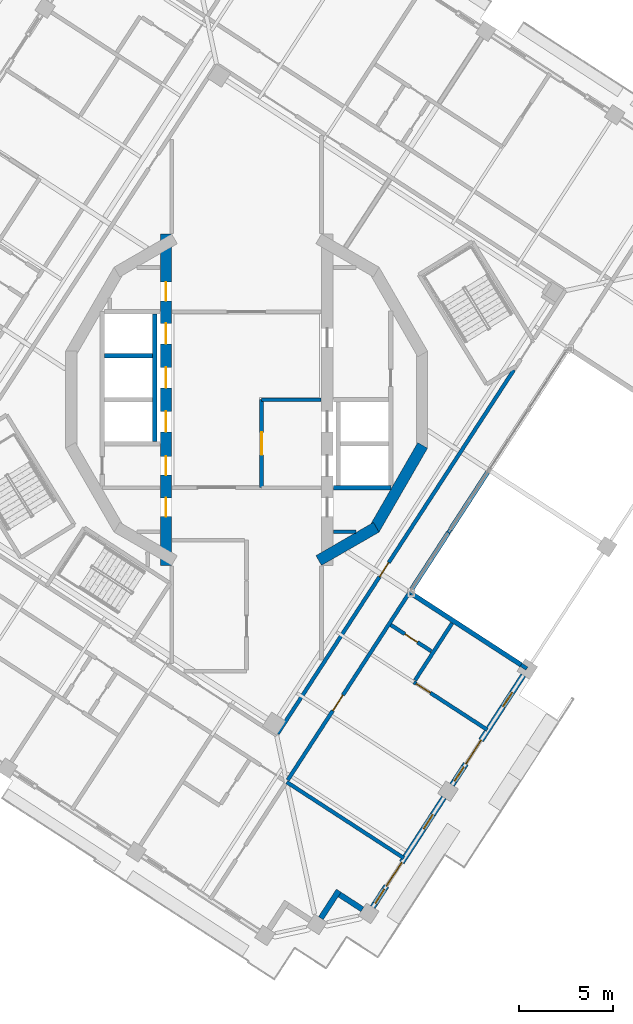
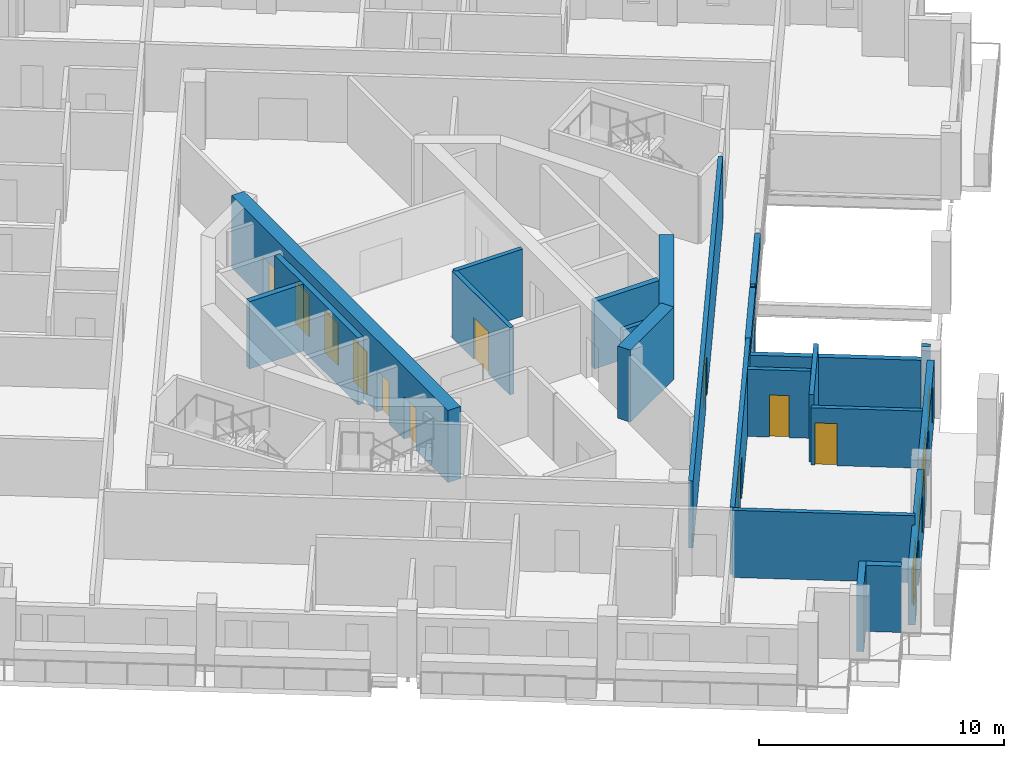
# One storey, part 7 of 17: 24 walls, 13 doors, 4 windows, 17 openings.
"""IFC4 building model written with IfcOpenShell, lengths in metres."""

from ifc_helpers import new_model, si_unit, direction, frame, frame_2d, origin, place, context, subcontext, project, spatial, rectangle, extrude, material, layer, layer_set, type_object, element, fill, save


model = new_model("IFC4")

# Units and contexts
model_context = context("Model", 3, precision=1e-05, world=origin(), true_north=direction((0.0, 1.0)))
body_context = subcontext(model_context, "Body", "Model", "MODEL_VIEW")
ifc_project = project(units=[si_unit("LENGTHUNIT", "METRE"), si_unit("AREAUNIT", "SQUARE_METRE"), si_unit("VOLUMEUNIT", "CUBIC_METRE"), si_unit("PLANEANGLEUNIT", "RADIAN"), si_unit("MASSUNIT", "GRAM", prefix="KILO")], contexts=[model_context])

# Site, building, storey
site_placement = place(None, origin())
site = spatial("IfcSite", under=ifc_project, at=site_placement, CompositionType="ELEMENT")
building_placement = place(site_placement, origin())
building = spatial("IfcBuilding", under=site, at=building_placement, Name="Cantera Rosa Tower", CompositionType="ELEMENT")
storey_placement = place(building_placement, frame((0.0, 0.0, 268.5)))
storey = spatial("IfcBuildingStorey", under=building, at=storey_placement, Name="L60", CompositionType="ELEMENT", Elevation=268.5)

# Wall, opening, door
ifc_material_1 = material(Name="Gypsum board partition")
ifc_layer_1 = layer(ifc_material_1, 0.199951171875)
ifc_layer_set_1 = layer_set([ifc_layer_1], Name="CORRIDOR WALL 200 H3350")
wall_type_1 = type_object("IfcWallType", Name="CORRIDOR WALL 200 H3350", PredefinedType="PARTITIONING", material=ifc_layer_set_1)
wall_1_placement = place(storey_placement, frame((1.656982421875, -17.828857421875, 0.0), z_axis=(0.0, 0.0, 1.0), x_axis=(0.544640309195, 0.838669740482, 0.0)))
wall_1 = element("IfcWall", 1, at=wall_1_placement, inside=storey, type_object=wall_type_1, Name="CORRIDOR WALL L60-064", PredefinedType="PARTITIONING", context=body_context, shape_type="SweptSolid", body=[
    extrude(rectangle(XDim=23.1552734375, YDim=0.199951171875, at=frame_2d((11.57763671875, 0.0))), origin(), (0.0, 0.0, 1.0), 3.35009765625),
])
opening_1_placement = place(wall_1_placement, frame((9.984619140625, 0.0, 0.0)))
opening_1 = element("IfcOpeningElement", 2, at=opening_1_placement, cuts=wall_1, Name="Opening L60-007", PredefinedType="OPENING", context=body_context, shape_type="SweptSolid", body=[
    extrude(rectangle(XDim=0.89990234375, YDim=2.10009765625, at=frame_2d((0.449951171875, 1.050048828125))), frame((0.0, 0.10986328125, 0.0), z_axis=(0.0, -1.0, 0.0), x_axis=(1.0, 0.0, 0.0)), (0.0, 0.0, 1.0), 0.219970703125),
])
ifc_material_2 = material(Name="Timber door leaf", Category="wood")
door_type_1 = type_object("IfcDoorType", Name="SERVICE DOOR 900x2100", OperationType="NOTDEFINED", PredefinedType="DOOR", material=ifc_material_2)
door_1_placement = place(opening_1_placement, origin())
door_1 = element("IfcDoor", 3, at=door_1_placement, inside=storey, type_object=door_type_1, Name="DOOR L60-007", OperationType="NOTDEFINED", OverallHeight=2.10009765625, OverallWidth=0.89990234375, PredefinedType="DOOR", context=body_context, shape_type="SweptSolid", body=[
    extrude(rectangle(XDim=0.89990234375, YDim=2.10009765625, at=frame_2d((0.449951171875, 1.050048828125))), frame((0.0, 0.02490234375, 0.0), z_axis=(0.0, -1.0, 0.0), x_axis=(1.0, 0.0, 0.0)), (0.0, 0.0, 1.0), 0.050048828125),
])
fill(opening_1, door_1)

wall_2_placement = place(storey_placement, frame((2.197265625, -20.302001953125, 0.0), z_axis=(0.0, 0.0, 1.0), x_axis=(0.544634094659, 0.83867377623, 0.0)))
wall_2 = element("IfcWall", 4, at=wall_2_placement, inside=storey, type_object=wall_type_1, Name="CORRIDOR WALL L60-065", PredefinedType="PARTITIONING", context=body_context, shape_type="SweptSolid", body=[
    extrude(rectangle(XDim=12.06494140625, YDim=0.199951171875, at=frame_2d((6.032470703125, 0.0))), origin(), (0.0, 0.0, 1.0), 3.35009765625),
])
opening_2_placement = place(wall_2_placement, frame((4.409912109375, 0.0, 0.0)))
opening_2 = element("IfcOpeningElement", 5, at=opening_2_placement, cuts=wall_2, Name="Opening L60-045", PredefinedType="OPENING", context=body_context, shape_type="SweptSolid", body=[
    extrude(rectangle(XDim=1.0, YDim=2.10009765625, at=frame_2d((0.5, 1.050048828125))), frame((0.0, 0.10986328125, 0.0), z_axis=(0.0, -1.0, 0.0), x_axis=(1.0, 0.0, 0.0)), (0.0, 0.0, 1.0), 0.219970703125),
])
ifc_material_3 = material(Name="Timber door leaf", Category="wood")
door_type_2 = type_object("IfcDoorType", Name="ENTRANCE DOOR 1000x2100", OperationType="NOTDEFINED", PredefinedType="DOOR", material=ifc_material_3)
door_2_placement = place(opening_2_placement, origin())
door_2 = element("IfcDoor", 6, at=door_2_placement, inside=storey, type_object=door_type_2, Name="DOOR L60-045", OperationType="NOTDEFINED", OverallHeight=2.10009765625, OverallWidth=1.0, PredefinedType="DOOR", context=body_context, shape_type="SweptSolid", body=[
    extrude(rectangle(XDim=1.0, YDim=2.10009765625, at=frame_2d((0.5, 1.050048828125))), frame((0.0, 0.02490234375, 0.0), z_axis=(0.0, -1.0, 0.0), x_axis=(1.0, 0.0, 0.0)), (0.0, 0.0, 1.0), 0.050048828125),
])
fill(opening_2, door_2)

# Walls
wall_3_placement = place(storey_placement, frame((10.76611328125, -7.107177734375, 0.0), z_axis=(0.0, 0.0, 1.0), x_axis=(0.544191105099, 0.838961287028, 0.0)))
element("IfcWall", 7, at=wall_3_placement, inside=storey, type_object=wall_type_1, Name="CORRIDOR WALL L60-066", PredefinedType="PARTITIONING", context=body_context, shape_type="SweptSolid", body=[
    extrude(rectangle(XDim=0.19384765625, YDim=0.199951171875, at=frame_2d((0.096923828125, 0.0))), origin(), (0.0, 0.0, 1.0), 3.35009765625),
])
ifc_material_4 = material(Name="Hollow clay masonry with cantera stone cladding", Category="masonry")
ifc_layer_2 = layer(ifc_material_4, 0.300048828125)
ifc_layer_set_2 = layer_set([ifc_layer_2], Name="EW-LOGGIA 300")
wall_type_2 = type_object("IfcWallType", Name="EW-LOGGIA 300", PredefinedType="SOLIDWALL", material=ifc_layer_set_2)
wall_4_placement = place(storey_placement, frame((3.966796875, -27.67529296875, 0.0), z_axis=(0.0, 0.0, 1.0), x_axis=(0.544679362749, 0.83864437743, 0.0)))
element("IfcWall", 8, at=wall_4_placement, inside=storey, type_object=wall_type_2, Name="EN-L60-W19a", PredefinedType="SOLIDWALL", context=body_context, shape_type="SweptSolid", body=[
    extrude(rectangle(XDim=1.75, YDim=0.300048828125, at=frame_2d((0.875, 0.0))), origin(), (0.0, 0.0, 1.0), 3.300048828125),
])
wall_5_placement = place(storey_placement, frame((4.964111328125, -26.415283203125, 0.0), z_axis=(0.0, 0.0, 1.0), x_axis=(0.838724343483, -0.544556218997, 0.0)))
element("IfcWall", 9, at=wall_5_placement, inside=storey, type_object=wall_type_2, Name="EN-L60-W19b", PredefinedType="SOLIDWALL", context=body_context, shape_type="SweptSolid", body=[
    extrude(rectangle(XDim=1.449951171875, YDim=0.300048828125, at=frame_2d((0.72509765625, 0.0))), origin(), (0.0, 0.0, 1.0), 3.300048828125),
])

# Wall, openings, windows, door
ifc_material_5 = material(Name="Hollow clay masonry with cantera stone cladding", Category="masonry")
ifc_layer_3 = layer(ifc_material_5, 0.300048828125)
ifc_layer_set_3 = layer_set([ifc_layer_3], Name="EW-LOGGIA 300 H2890")
wall_type_3 = type_object("IfcWallType", Name="EW-LOGGIA 300 H2890", PredefinedType="SOLIDWALL", material=ifc_layer_set_3)
wall_6_placement = place(storey_placement, frame((6.7333984375, -27.08740234375, 0.0), z_axis=(0.0, 0.0, 1.0), x_axis=(0.544651451949, 0.838662504164, 0.0)))
wall_6 = element("IfcWall", 10, at=wall_6_placement, inside=storey, type_object=wall_type_3, Name="EN-L60-W20", PredefinedType="SOLIDWALL", context=body_context, shape_type="SweptSolid", body=[
    extrude(rectangle(XDim=6.980224609375, YDim=0.300048828125, at=frame_2d((3.490234375, 0.0))), origin(), (0.0, 0.0, 1.0), 2.889892578125),
])
opening_3_placement = place(wall_6_placement, frame((0.2451171875, 0.0, 0.89990234375)))
opening_3 = element("IfcOpeningElement", 11, at=opening_3_placement, cuts=wall_6, Name="Opening L60-W40", PredefinedType="OPENING", context=body_context, shape_type="SweptSolid", body=[
    extrude(rectangle(XDim=0.89990234375, YDim=1.5, at=frame_2d((0.449951171875, 0.75))), frame((0.0, 0.159912109375, 0.0), z_axis=(0.0, -1.0, 0.0), x_axis=(1.0, 0.0, 0.0)), (0.0, 0.0, 1.0), 0.320068359375),
])
opening_4_placement = place(wall_6_placement, frame((1.344970703125, 0.0, 0.0)))
opening_4 = element("IfcOpeningElement", 12, at=opening_4_placement, cuts=wall_6, Name="Opening L60-TD41", PredefinedType="OPENING", context=body_context, shape_type="SweptSolid", body=[
    extrude(rectangle(XDim=1.5, YDim=2.39990234375, at=frame_2d((0.75, 1.199951171875))), frame((0.0, 0.159912109375, 0.0), z_axis=(0.0, -1.0, 0.0), x_axis=(1.0, 0.0, 0.0)), (0.0, 0.0, 1.0), 0.320068359375),
])
opening_5_placement = place(wall_6_placement, frame((4.985107421875, 0.0, 0.89990234375)))
opening_5 = element("IfcOpeningElement", 13, at=opening_5_placement, cuts=wall_6, Name="Opening L60-W42", PredefinedType="OPENING", context=body_context, shape_type="SweptSolid", body=[
    extrude(rectangle(XDim=0.89990234375, YDim=1.5, at=frame_2d((0.449951171875, 0.75))), frame((0.0, 0.159912109375, 0.0), z_axis=(0.0, -1.0, 0.0), x_axis=(1.0, 0.0, 0.0)), (0.0, 0.0, 1.0), 0.320068359375),
])
ifc_material_6 = material(Name="Aluminium frame with clear glass", Category="aluminium")
window_type = type_object("IfcWindowType", Name="Residential window 900x1500", PartitioningType="SINGLE_PANEL", PredefinedType="WINDOW", material=ifc_material_6)
window_1_placement = place(opening_3_placement, origin())
window_1 = element("IfcWindow", 14, at=window_1_placement, inside=storey, type_object=window_type, Name="WINDOW L60-W40", OverallHeight=1.5, OverallWidth=0.89990234375, PartitioningType="SINGLE_PANEL", PredefinedType="WINDOW", context=body_context, shape_type="SweptSolid", body=[
    extrude(rectangle(XDim=0.89990234375, YDim=1.5, at=frame_2d((0.449951171875, 0.75))), frame((0.0, 0.030029296875, 0.0), z_axis=(0.0, -1.0, 0.0), x_axis=(1.0, 0.0, 0.0)), (0.0, 0.0, 1.0), 0.06005859375),
])
fill(opening_3, window_1)
window_2_placement = place(opening_5_placement, origin())
window_2 = element("IfcWindow", 15, at=window_2_placement, inside=storey, type_object=window_type, Name="WINDOW L60-W42", OverallHeight=1.5, OverallWidth=0.89990234375, PartitioningType="SINGLE_PANEL", PredefinedType="WINDOW", context=body_context, shape_type="SweptSolid", body=[
    extrude(rectangle(XDim=0.89990234375, YDim=1.5, at=frame_2d((0.449951171875, 0.75))), frame((0.0, 0.030029296875, 0.0), z_axis=(0.0, -1.0, 0.0), x_axis=(1.0, 0.0, 0.0)), (0.0, 0.0, 1.0), 0.06005859375),
])
fill(opening_5, window_2)
ifc_material_7 = material(Name="Aluminium frame with clear glass", Category="aluminium")
door_type_3 = type_object("IfcDoorType", Name="TD-R 1500x2400", OperationType="NOTDEFINED", PredefinedType="DOOR", material=ifc_material_7)
door_3_placement = place(opening_4_placement, origin())
door_3 = element("IfcDoor", 16, at=door_3_placement, inside=storey, type_object=door_type_3, Name="LOGGIA DOOR L60-TD41", OperationType="SLIDING_TO_LEFT", OverallHeight=2.39990234375, OverallWidth=1.5, PredefinedType="DOOR", context=body_context, shape_type="SweptSolid", body=[
    extrude(rectangle(XDim=1.5, YDim=2.39990234375, at=frame_2d((0.75, 1.199951171875))), frame((0.0, 0.02490234375, 0.0), z_axis=(0.0, -1.0, 0.0), x_axis=(1.0, 0.0, 0.0)), (0.0, 0.0, 1.0), 0.050048828125),
])
fill(opening_4, door_3)

wall_7_placement = place(storey_placement, frame((10.970703125, -20.5625, 0.0), z_axis=(0.0, 0.0, 1.0), x_axis=(0.544651451949, 0.838662504164, 0.0)))
wall_7 = element("IfcWall", 17, at=wall_7_placement, inside=storey, type_object=wall_type_3, Name="EN-L60-W21", PredefinedType="SOLIDWALL", context=body_context, shape_type="SweptSolid", body=[
    extrude(rectangle(XDim=6.980224609375, YDim=0.300048828125, at=frame_2d((3.490234375, 0.0))), origin(), (0.0, 0.0, 1.0), 2.889892578125),
])
opening_6_placement = place(wall_7_placement, frame((0.2451171875, 0.0, 0.89990234375)))
opening_6 = element("IfcOpeningElement", 18, at=opening_6_placement, cuts=wall_7, Name="Opening L60-W43", PredefinedType="OPENING", context=body_context, shape_type="SweptSolid", body=[
    extrude(rectangle(XDim=0.89990234375, YDim=1.5, at=frame_2d((0.449951171875, 0.75))), frame((0.0, 0.159912109375, 0.0), z_axis=(0.0, -1.0, 0.0), x_axis=(1.0, 0.0, 0.0)), (0.0, 0.0, 1.0), 0.320068359375),
])
opening_7_placement = place(wall_7_placement, frame((1.344970703125, 0.0, 0.0)))
opening_7 = element("IfcOpeningElement", 19, at=opening_7_placement, cuts=wall_7, Name="Opening L60-TD44", PredefinedType="OPENING", context=body_context, shape_type="SweptSolid", body=[
    extrude(rectangle(XDim=1.5, YDim=2.39990234375, at=frame_2d((0.75, 1.199951171875))), frame((0.0, 0.159912109375, 0.0), z_axis=(0.0, -1.0, 0.0), x_axis=(1.0, 0.0, 0.0)), (0.0, 0.0, 1.0), 0.320068359375),
])
opening_8_placement = place(wall_7_placement, frame((4.985107421875, 0.0, 0.89990234375)))
opening_8 = element("IfcOpeningElement", 20, at=opening_8_placement, cuts=wall_7, Name="Opening L60-W45", PredefinedType="OPENING", context=body_context, shape_type="SweptSolid", body=[
    extrude(rectangle(XDim=0.89990234375, YDim=1.5, at=frame_2d((0.449951171875, 0.75))), frame((0.0, 0.159912109375, 0.0), z_axis=(0.0, -1.0, 0.0), x_axis=(1.0, 0.0, 0.0)), (0.0, 0.0, 1.0), 0.320068359375),
])
window_3_placement = place(opening_6_placement, origin())
window_3 = element("IfcWindow", 21, at=window_3_placement, inside=storey, type_object=window_type, Name="WINDOW L60-W43", OverallHeight=1.5, OverallWidth=0.89990234375, PartitioningType="SINGLE_PANEL", PredefinedType="WINDOW", context=body_context, shape_type="SweptSolid", body=[
    extrude(rectangle(XDim=0.89990234375, YDim=1.5, at=frame_2d((0.449951171875, 0.75))), frame((0.0, 0.030029296875, 0.0), z_axis=(0.0, -1.0, 0.0), x_axis=(1.0, 0.0, 0.0)), (0.0, 0.0, 1.0), 0.06005859375),
])
fill(opening_6, window_3)
window_4_placement = place(opening_8_placement, origin())
window_4 = element("IfcWindow", 22, at=window_4_placement, inside=storey, type_object=window_type, Name="WINDOW L60-W45", OverallHeight=1.5, OverallWidth=0.89990234375, PartitioningType="SINGLE_PANEL", PredefinedType="WINDOW", context=body_context, shape_type="SweptSolid", body=[
    extrude(rectangle(XDim=0.89990234375, YDim=1.5, at=frame_2d((0.449951171875, 0.75))), frame((0.0, 0.030029296875, 0.0), z_axis=(0.0, -1.0, 0.0), x_axis=(1.0, 0.0, 0.0)), (0.0, 0.0, 1.0), 0.06005859375),
])
fill(opening_8, window_4)
door_4_placement = place(opening_7_placement, origin())
door_4 = element("IfcDoor", 23, at=door_4_placement, inside=storey, type_object=door_type_3, Name="LOGGIA DOOR L60-TD44", OperationType="SLIDING_TO_LEFT", OverallHeight=2.39990234375, OverallWidth=1.5, PredefinedType="DOOR", context=body_context, shape_type="SweptSolid", body=[
    extrude(rectangle(XDim=1.5, YDim=2.39990234375, at=frame_2d((0.75, 1.199951171875))), frame((0.0, 0.02490234375, 0.0), z_axis=(0.0, -1.0, 0.0), x_axis=(1.0, 0.0, 0.0)), (0.0, 0.0, 1.0), 0.050048828125),
])
fill(opening_7, door_4)

# Walls
ifc_material_8 = material(Name="Concrete C40/50", Category="concrete")
ifc_layer_4 = layer(ifc_material_8, 0.25)
ifc_layer_set_4 = layer_set([ifc_layer_4], Name="EW-POCKET CHEEK 250 H2670")
wall_type_4 = type_object("IfcWallType", Name="EW-POCKET CHEEK 250 H2670", PredefinedType="SOLIDWALL", material=ifc_layer_set_4)
wall_8_placement = place(storey_placement, frame((14.65478515625, -14.1552734375, 0.0), z_axis=(0.0, 0.0, 1.0), x_axis=(-0.838665071449, 0.544647498784, 0.0)))
element("IfcWall", 24, at=wall_8_placement, inside=storey, type_object=wall_type_4, Name="POCKET CHEEK A L60", PredefinedType="SOLIDWALL", context=body_context, shape_type="SweptSolid", body=[
    extrude(rectangle(XDim=7.0, YDim=0.25, at=frame_2d((3.5, 0.0))), origin(), (0.0, 0.0, 1.0), 2.669921875),
])
ifc_material_9 = material(Name="Hollow clay masonry with cantera stone cladding", Category="masonry")
ifc_layer_5 = layer(ifc_material_9, 0.25)
ifc_layer_set_5 = layer_set([ifc_layer_5], Name="EW-POCKET REAR 250")
wall_type_5 = type_object("IfcWallType", Name="EW-POCKET REAR 250", PredefinedType="SOLIDWALL", material=ifc_layer_set_5)
wall_9_placement = place(storey_placement, frame((8.768310546875, -10.183349609375, 2.657958984375), z_axis=(0.0, 0.0, 1.0), x_axis=(0.544660772807, 0.838656450858, 0.0)))
element("IfcWall", 25, at=wall_9_placement, inside=storey, type_object=wall_type_5, Name="POCKET SPANDREL L60-1", PredefinedType="SOLIDWALL", context=body_context, shape_type="SweptSolid", body=[
    extrude(rectangle(XDim=3.66796875, YDim=0.25, at=frame_2d((1.833984375, 0.0))), origin(), (0.0, 0.0, 1.0), 0.64208984375),
])
wall_10_placement = place(storey_placement, frame((10.87158203125, -6.944580078125, 2.657958984375), z_axis=(0.0, 0.0, 1.0), x_axis=(0.544650551538, 0.838663088916, 0.0)))
element("IfcWall", 26, at=wall_10_placement, inside=storey, type_object=wall_type_5, Name="POCKET SPANDREL L60-2", PredefinedType="SOLIDWALL", context=body_context, shape_type="SweptSolid", body=[
    extrude(rectangle(XDim=3.65869140625, YDim=0.25, at=frame_2d((1.829345703125, 0.0))), origin(), (0.0, 0.0, 1.0), 0.64208984375),
])

# Wall, opening, door
ifc_material_10 = material(Name="Gypsum board partition")
ifc_layer_6 = layer(ifc_material_10, 0.199951171875)
ifc_layer_set_6 = layer_set([ifc_layer_6], Name="PARTITION 200 H2850")
wall_type_6 = type_object("IfcWallType", Name="PARTITION 200 H2850", PredefinedType="PARTITIONING", material=ifc_layer_set_6)
wall_11_placement = place(storey_placement, frame((12.846435546875, -17.619140625, 0.0), z_axis=(0.0, 0.0, 1.0), x_axis=(-0.838681218127, 0.544622634822, 0.0)))
wall_11 = element("IfcWall", 27, at=wall_11_placement, inside=storey, type_object=wall_type_6, Name="PARTITION L60-093", PredefinedType="PARTITIONING", context=body_context, shape_type="SweptSolid", body=[
    extrude(rectangle(XDim=4.670166015625, YDim=0.199951171875, at=frame_2d((2.3349609375, 0.0))), origin(), (0.0, 0.0, 1.0), 2.85009765625),
])
opening_9_placement = place(wall_11_placement, frame((3.6201171875, 0.0, 0.0)))
opening_9 = element("IfcOpeningElement", 28, at=opening_9_placement, cuts=wall_11, Name="Opening L60-047", PredefinedType="OPENING", context=body_context, shape_type="SweptSolid", body=[
    extrude(rectangle(XDim=0.89990234375, YDim=2.10009765625, at=frame_2d((0.449951171875, 1.050048828125))), frame((0.0, 0.10986328125, 0.0), z_axis=(0.0, -1.0, 0.0), x_axis=(1.0, 0.0, 0.0)), (0.0, 0.0, 1.0), 0.219970703125),
])
ifc_material_11 = material(Name="Timber door leaf", Category="wood")
door_type_4 = type_object("IfcDoorType", Name="ROOM DOOR 900x2100", OperationType="NOTDEFINED", PredefinedType="DOOR", material=ifc_material_11)
door_5_placement = place(opening_9_placement, origin())
door_5 = element("IfcDoor", 29, at=door_5_placement, inside=storey, type_object=door_type_4, Name="DOOR L60-047", OperationType="NOTDEFINED", OverallHeight=2.10009765625, OverallWidth=0.89990234375, PredefinedType="DOOR", context=body_context, shape_type="SweptSolid", body=[
    extrude(rectangle(XDim=0.89990234375, YDim=2.10009765625, at=frame_2d((0.449951171875, 1.050048828125))), frame((0.0, 0.02490234375, 0.0), z_axis=(0.0, -1.0, 0.0), x_axis=(1.0, 0.0, 0.0)), (0.0, 0.0, 1.0), 0.050048828125),
])
fill(opening_9, door_5)

# Walls
ifc_material_12 = material(Name="Gypsum board partition")
ifc_layer_7 = layer(ifc_material_12, 0.199951171875)
ifc_layer_set_7 = layer_set([ifc_layer_7], Name="PARTITION 200 H3350")
wall_type_7 = type_object("IfcWallType", Name="PARTITION 200 H3350", PredefinedType="PARTITIONING", material=ifc_layer_set_7)
wall_12_placement = place(storey_placement, frame((5.84765625, -7.050048828125, 0.0), z_axis=(0.0, 0.0, 1.0), x_axis=(-1.0, 0.0, 0.0)))
element("IfcWall", 30, at=wall_12_placement, inside=storey, type_object=wall_type_7, Name="PARTITION L60-077", PredefinedType="PARTITIONING", context=body_context, shape_type="SweptSolid", body=[
    extrude(rectangle(XDim=1.2177734375, YDim=0.199951171875, at=frame_2d((0.60888671875, 0.0))), origin(), (0.0, 0.0, 1.0), 3.35009765625),
])
wall_13_placement = place(storey_placement, frame((14.65478515625, -14.1552734375, 0.0), z_axis=(0.0, 0.0, 1.0), x_axis=(0.838790236691, -0.544454716971, 0.0)))
element("IfcWall", 31, at=wall_13_placement, inside=storey, type_object=wall_type_7, Name="PARTITION L60-085", PredefinedType="PARTITIONING", context=body_context, shape_type="SweptSolid", body=[
    extrude(rectangle(XDim=0.369873046875, YDim=0.199951171875, at=frame_2d((0.18505859375, 0.0))), origin(), (0.0, 0.0, 1.0), 3.35009765625),
])

# Wall, opening, door
wall_14_placement = place(storey_placement, frame((9.858642578125, -13.42529296875, 0.0), z_axis=(0.0, 0.0, 1.0), x_axis=(-0.838657579454, 0.544659035015, 0.0)))
wall_14 = element("IfcWall", 32, at=wall_14_placement, inside=storey, type_object=wall_type_7, Name="PARTITION L60-088", PredefinedType="PARTITIONING", context=body_context, shape_type="SweptSolid", body=[
    extrude(rectangle(XDim=2.580078125, YDim=0.199951171875, at=frame_2d((1.2900390625, 0.0))), origin(), (0.0, 0.0, 1.0), 3.35009765625),
])
opening_10_placement = place(wall_14_placement, frame((0.8798828125, 0.0, 0.0)))
opening_10 = element("IfcOpeningElement", 33, at=opening_10_placement, cuts=wall_14, Name="Opening L60-046", PredefinedType="OPENING", context=body_context, shape_type="SweptSolid", body=[
    extrude(rectangle(XDim=0.800048828125, YDim=2.10009765625, at=frame_2d((0.39990234375, 1.050048828125))), frame((0.0, 0.10986328125, 0.0), z_axis=(0.0, -1.0, 0.0), x_axis=(1.0, 0.0, 0.0)), (0.0, 0.0, 1.0), 0.219970703125),
])
ifc_material_13 = material(Name="Timber door leaf", Category="wood")
door_type_5 = type_object("IfcDoorType", Name="BATHROOM DOOR 800x2100", OperationType="NOTDEFINED", PredefinedType="DOOR", material=ifc_material_13)
door_6_placement = place(opening_10_placement, origin())
door_6 = element("IfcDoor", 34, at=door_6_placement, inside=storey, type_object=door_type_5, Name="DOOR L60-046", OperationType="NOTDEFINED", OverallHeight=2.10009765625, OverallWidth=0.800048828125, PredefinedType="DOOR", context=body_context, shape_type="SweptSolid", body=[
    extrude(rectangle(XDim=0.800048828125, YDim=2.10009765625, at=frame_2d((0.39990234375, 1.050048828125))), frame((0.0, 0.02490234375, 0.0), z_axis=(0.0, -1.0, 0.0), x_axis=(1.0, 0.0, 0.0)), (0.0, 0.0, 1.0), 0.050048828125),
])
fill(opening_10, door_6)

# Walls
wall_15_placement = place(storey_placement, frame((10.97509765625, -11.926513671875, 0.0), z_axis=(0.0, 0.0, 1.0), x_axis=(-0.544679064134, -0.838644571374, 0.0)))
element("IfcWall", 35, at=wall_15_placement, inside=storey, type_object=wall_type_7, Name="PARTITION L60-089", PredefinedType="PARTITIONING", context=body_context, shape_type="SweptSolid", body=[
    extrude(rectangle(XDim=3.63525390625, YDim=0.199951171875, at=frame_2d((1.817626953125, 0.0))), origin(), (0.0, 0.0, 1.0), 3.35009765625),
])
ifc_material_14 = material(Name="Gypsum board partition")
ifc_layer_8 = layer(ifc_material_14, 0.199951171875)
ifc_layer_set_8 = layer_set([ifc_layer_8], Name="PARTY WALL 200 H3350")
wall_type_8 = type_object("IfcWallType", Name="PARTY WALL 200 H3350", PredefinedType="PARTITIONING", material=ifc_layer_set_8)
wall_16_placement = place(storey_placement, frame((8.396728515625, -24.47119140625, 0.0), z_axis=(0.0, 0.0, 1.0), x_axis=(-0.83866516607, 0.544647353083, 0.0)))
element("IfcWall", 36, at=wall_16_placement, inside=storey, type_object=wall_type_8, Name="PARTY WALL L60-083", PredefinedType="PARTITIONING", context=body_context, shape_type="SweptSolid", body=[
    extrude(rectangle(XDim=7.449951171875, YDim=0.199951171875, at=frame_2d((3.72509765625, 0.0))), origin(), (0.0, 0.0, 1.0), 3.35009765625),
])

# Wall, openings, doors
ifc_material_15 = material(Name="Concrete C50/60", Category="concrete")
ifc_layer_9 = layer(ifc_material_15, 0.60009765625)
ifc_layer_set_9 = layer_set([ifc_layer_9], Name="RC CORE WALL 600 C50/60")
wall_type_9 = type_object("IfcWallType", Name="RC CORE WALL 600 C50/60", PredefinedType="SHEAR", material=ifc_layer_set_9)
wall_17_placement = place(storey_placement, frame((-4.300048828125, 8.84423828125, 0.0), z_axis=(0.0, 0.0, 1.0), x_axis=(0.0, -1.0, 0.0)))
wall_17 = element("IfcWall", 37, at=wall_17_placement, inside=storey, type_object=wall_type_9, Name="CW-W6 L60", PredefinedType="SHEAR", context=body_context, shape_type="SweptSolid", body=[
    extrude(rectangle(XDim=17.6884765625, YDim=0.60009765625, at=frame_2d((8.84423828125, 0.0))), origin(), (0.0, 0.0, 1.0), 3.60009765625),
])
opening_11_placement = place(wall_17_placement, frame((9.468994140625, 0.0, 0.0)))
opening_11 = element("IfcOpeningElement", 38, at=opening_11_placement, cuts=wall_17, Name="Opening LD-H1-L60", PredefinedType="OPENING", context=body_context, shape_type="SweptSolid", body=[
    extrude(rectangle(XDim=1.10009765625, YDim=2.10009765625, at=frame_2d((0.550048828125, 1.050048828125))), frame((0.0, 0.31005859375, 0.0), z_axis=(0.0, -1.0, 0.0), x_axis=(1.0, 0.0, 0.0)), (0.0, 0.0, 1.0), 0.6201171875),
])
opening_12_placement = place(wall_17_placement, frame((7.119140625, 0.0, 0.0)))
opening_12 = element("IfcOpeningElement", 39, at=opening_12_placement, cuts=wall_17, Name="Opening LD-H2-L60", PredefinedType="OPENING", context=body_context, shape_type="SweptSolid", body=[
    extrude(rectangle(XDim=1.10009765625, YDim=2.10009765625, at=frame_2d((0.550048828125, 1.050048828125))), frame((0.0, 0.31005859375, 0.0), z_axis=(0.0, -1.0, 0.0), x_axis=(1.0, 0.0, 0.0)), (0.0, 0.0, 1.0), 0.6201171875),
])
opening_13_placement = place(wall_17_placement, frame((4.76904296875, 0.0, 0.0)))
opening_13 = element("IfcOpeningElement", 40, at=opening_13_placement, cuts=wall_17, Name="Opening LD-H3-L60", PredefinedType="OPENING", context=body_context, shape_type="SweptSolid", body=[
    extrude(rectangle(XDim=1.10009765625, YDim=2.10009765625, at=frame_2d((0.550048828125, 1.050048828125))), frame((0.0, 0.31005859375, 0.0), z_axis=(0.0, -1.0, 0.0), x_axis=(1.0, 0.0, 0.0)), (0.0, 0.0, 1.0), 0.6201171875),
])
opening_14_placement = place(wall_17_placement, frame((14.091552734375, 0.0, 0.0)))
opening_14 = element("IfcOpeningElement", 41, at=opening_14_placement, cuts=wall_17, Name="Opening SD-L60-14", PredefinedType="OPENING", context=body_context, shape_type="SweptSolid", body=[
    extrude(rectangle(XDim=1.0, YDim=2.10009765625, at=frame_2d((0.5, 1.050048828125))), frame((0.0, 0.31005859375, 0.0), z_axis=(0.0, -1.0, 0.0), x_axis=(1.0, 0.0, 0.0)), (0.0, 0.0, 1.0), 0.6201171875),
])
opening_15_placement = place(wall_17_placement, frame((2.572265625, 0.0, 0.0)))
opening_15 = element("IfcOpeningElement", 42, at=opening_15_placement, cuts=wall_17, Name="Opening SD-L60-15", PredefinedType="OPENING", context=body_context, shape_type="SweptSolid", body=[
    extrude(rectangle(XDim=1.0, YDim=2.10009765625, at=frame_2d((0.5, 1.050048828125))), frame((0.0, 0.31005859375, 0.0), z_axis=(0.0, -1.0, 0.0), x_axis=(1.0, 0.0, 0.0)), (0.0, 0.0, 1.0), 0.6201171875),
])
opening_16_placement = place(wall_17_placement, frame((11.869140625, 0.0, 0.0)))
opening_16 = element("IfcOpeningElement", 43, at=opening_16_placement, cuts=wall_17, Name="Opening SD-L60-16", PredefinedType="OPENING", context=body_context, shape_type="SweptSolid", body=[
    extrude(rectangle(XDim=1.0, YDim=2.10009765625, at=frame_2d((0.5, 1.050048828125))), frame((0.0, 0.31005859375, 0.0), z_axis=(0.0, -1.0, 0.0), x_axis=(1.0, 0.0, 0.0)), (0.0, 0.0, 1.0), 0.6201171875),
])
ifc_material_16 = material(Name="Steel S355J2 (EN 10025-2)", Category="steel")
door_type_6 = type_object("IfcDoorType", Name="LANDING DOOR 1100x2100", OperationType="NOTDEFINED", PredefinedType="DOOR", material=ifc_material_16)
door_7_placement = place(opening_11_placement, origin())
door_7 = element("IfcDoor", 44, at=door_7_placement, inside=storey, type_object=door_type_6, Name="LANDING DOOR H1 L60", OperationType="SLIDING_TO_LEFT", OverallHeight=2.10009765625, OverallWidth=1.10009765625, PredefinedType="DOOR", context=body_context, shape_type="SweptSolid", body=[
    extrude(rectangle(XDim=1.10009765625, YDim=2.10009765625, at=frame_2d((0.550048828125, 1.050048828125))), frame((0.0, 0.02490234375, 0.0), z_axis=(0.0, -1.0, 0.0), x_axis=(1.0, 0.0, 0.0)), (0.0, 0.0, 1.0), 0.050048828125),
])
fill(opening_11, door_7)
door_8_placement = place(opening_12_placement, origin())
door_8 = element("IfcDoor", 45, at=door_8_placement, inside=storey, type_object=door_type_6, Name="LANDING DOOR H2 L60", OperationType="SLIDING_TO_LEFT", OverallHeight=2.10009765625, OverallWidth=1.10009765625, PredefinedType="DOOR", context=body_context, shape_type="SweptSolid", body=[
    extrude(rectangle(XDim=1.10009765625, YDim=2.10009765625, at=frame_2d((0.550048828125, 1.050048828125))), frame((0.0, 0.02490234375, 0.0), z_axis=(0.0, -1.0, 0.0), x_axis=(1.0, 0.0, 0.0)), (0.0, 0.0, 1.0), 0.050048828125),
])
fill(opening_12, door_8)
door_9_placement = place(opening_13_placement, origin())
door_9 = element("IfcDoor", 46, at=door_9_placement, inside=storey, type_object=door_type_6, Name="LANDING DOOR H3 L60", OperationType="SLIDING_TO_LEFT", OverallHeight=2.10009765625, OverallWidth=1.10009765625, PredefinedType="DOOR", context=body_context, shape_type="SweptSolid", body=[
    extrude(rectangle(XDim=1.10009765625, YDim=2.10009765625, at=frame_2d((0.550048828125, 1.050048828125))), frame((0.0, 0.02490234375, 0.0), z_axis=(0.0, -1.0, 0.0), x_axis=(1.0, 0.0, 0.0)), (0.0, 0.0, 1.0), 0.050048828125),
])
fill(opening_13, door_9)
ifc_material_17 = material(Name="Timber door leaf", Category="wood")
door_type_7 = type_object("IfcDoorType", Name="SERVICE DOOR 1000x2100", OperationType="NOTDEFINED", PredefinedType="DOOR", material=ifc_material_17)
door_10_placement = place(opening_14_placement, origin())
door_10 = element("IfcDoor", 47, at=door_10_placement, inside=storey, type_object=door_type_7, Name="DOOR L60-SD14", OperationType="NOTDEFINED", OverallHeight=2.10009765625, OverallWidth=1.0, PredefinedType="DOOR", context=body_context, shape_type="SweptSolid", body=[
    extrude(rectangle(XDim=1.0, YDim=2.10009765625, at=frame_2d((0.5, 1.050048828125))), frame((0.0, 0.02490234375, 0.0), z_axis=(0.0, -1.0, 0.0), x_axis=(1.0, 0.0, 0.0)), (0.0, 0.0, 1.0), 0.050048828125),
])
fill(opening_14, door_10)
door_11_placement = place(opening_15_placement, origin())
door_11 = element("IfcDoor", 48, at=door_11_placement, inside=storey, type_object=door_type_7, Name="DOOR L60-SD15", OperationType="NOTDEFINED", OverallHeight=2.10009765625, OverallWidth=1.0, PredefinedType="DOOR", context=body_context, shape_type="SweptSolid", body=[
    extrude(rectangle(XDim=1.0, YDim=2.10009765625, at=frame_2d((0.5, 1.050048828125))), frame((0.0, 0.02490234375, 0.0), z_axis=(0.0, -1.0, 0.0), x_axis=(1.0, 0.0, 0.0)), (0.0, 0.0, 1.0), 0.050048828125),
])
fill(opening_15, door_11)
door_12_placement = place(opening_16_placement, origin())
door_12 = element("IfcDoor", 49, at=door_12_placement, inside=storey, type_object=door_type_7, Name="DOOR L60-SD16", OperationType="NOTDEFINED", OverallHeight=2.10009765625, OverallWidth=1.0, PredefinedType="DOOR", context=body_context, shape_type="SweptSolid", body=[
    extrude(rectangle(XDim=1.0, YDim=2.10009765625, at=frame_2d((0.5, 1.050048828125))), frame((0.0, 0.02490234375, 0.0), z_axis=(0.0, -1.0, 0.0), x_axis=(1.0, 0.0, 0.0)), (0.0, 0.0, 1.0), 0.050048828125),
])
fill(opening_16, door_12)

# Walls
wall_18_placement = place(storey_placement, frame((9.3994140625, -2.438232421875, 0.0), z_axis=(0.0, 0.0, 1.0), x_axis=(-0.499989188378, -0.866031645787, 0.0)))
element("IfcWall", 50, at=wall_18_placement, inside=storey, type_object=wall_type_9, Name="CW-E4 L60", PredefinedType="SHEAR", context=body_context, shape_type="SweptSolid", body=[
    extrude(rectangle(XDim=5.17626953125, YDim=0.60009765625, at=frame_2d((2.588134765625, 0.0))), origin(), (0.0, 0.0, 1.0), 3.60009765625),
])
wall_19_placement = place(storey_placement, frame((6.921142578125, -6.811279296875, 0.0), z_axis=(0.0, 0.0, 1.0), x_axis=(-0.866039982607, -0.499974747889, 0.0)))
element("IfcWall", 51, at=wall_19_placement, inside=storey, type_object=wall_type_9, Name="CW-E5 L60", PredefinedType="SHEAR", context=body_context, shape_type="SweptSolid", body=[
    extrude(rectangle(XDim=3.546142578125, YDim=0.60009765625, at=frame_2d((1.77294921875, 0.0))), origin(), (0.0, 0.0, 1.0), 3.60009765625),
])
ifc_material_18 = material(Name="Masonry blockwork", Category="masonry")
ifc_layer_10 = layer(ifc_material_18, 0.25)
ifc_layer_set_10 = layer_set([ifc_layer_10], Name="SHAFT WALL 250 H3350")
wall_type_10 = type_object("IfcWallType", Name="SHAFT WALL 250 H3350", PredefinedType="SOLIDWALL", material=ifc_layer_set_10)
wall_20_placement = place(storey_placement, frame((-7.574951171875, 2.35009765625, 0.0), z_axis=(0.0, 0.0, 1.0), x_axis=(1.0, 0.0, 0.0)))
element("IfcWall", 52, at=wall_20_placement, inside=storey, type_object=wall_type_10, Name="SHAFT WALL L60-032", PredefinedType="SOLIDWALL", context=body_context, shape_type="SweptSolid", body=[
    extrude(rectangle(XDim=2.554931640625, YDim=0.25, at=frame_2d((1.27734375, 0.0))), origin(), (0.0, 0.0, 1.0), 3.35009765625),
])
wall_21_placement = place(storey_placement, frame((-4.89990234375, -2.22509765625, 0.0), z_axis=(0.0, 0.0, 1.0), x_axis=(0.0, 1.0, 0.0)))
element("IfcWall", 53, at=wall_21_placement, inside=storey, type_object=wall_type_10, Name="SHAFT WALL L60-043", PredefinedType="SOLIDWALL", context=body_context, shape_type="SweptSolid", body=[
    extrude(rectangle(XDim=6.800048828125, YDim=0.25, at=frame_2d((3.39990234375, 0.0))), origin(), (0.0, 0.0, 1.0), 3.35009765625),
])
wall_22_placement = place(storey_placement, frame((7.699951171875, -4.699951171875, 0.0), z_axis=(0.0, 0.0, 1.0), x_axis=(-1.0, 0.0, 0.0)))
element("IfcWall", 54, at=wall_22_placement, inside=storey, type_object=wall_type_10, Name="SHAFT WALL L60-079", PredefinedType="SOLIDWALL", context=body_context, shape_type="SweptSolid", body=[
    extrude(rectangle(XDim=3.070068359375, YDim=0.25, at=frame_2d((1.53515625, 0.0))), origin(), (0.0, 0.0, 1.0), 3.35009765625),
])

# Wall, opening, door
ifc_material_19 = material(Name="Concrete C50/60", Category="concrete")
ifc_layer_11 = layer(ifc_material_19, 0.199951171875)
ifc_layer_set_11 = layer_set([ifc_layer_11], Name="STAIR WALL 200 H3350")
wall_type_11 = type_object("IfcWallType", Name="STAIR WALL 200 H3350", PredefinedType="SOLIDWALL", material=ifc_layer_set_11)
wall_23_placement = place(storey_placement, frame((0.800048828125, -4.699951171875, 0.0), z_axis=(0.0, 0.0, 1.0), x_axis=(0.0, 1.0, 0.0)))
wall_23 = element("IfcWall", 55, at=wall_23_placement, inside=storey, type_object=wall_type_11, Name="STAIR WALL L60-062", PredefinedType="SOLIDWALL", context=body_context, shape_type="SweptSolid", body=[
    extrude(rectangle(XDim=4.699951171875, YDim=0.199951171875, at=frame_2d((2.35009765625, 0.0))), origin(), (0.0, 0.0, 1.0), 3.35009765625),
])
opening_17_placement = place(wall_23_placement, frame((1.75, 0.0, 0.0)))
opening_17 = element("IfcOpeningElement", 56, at=opening_17_placement, cuts=wall_23, Name="Opening L60-012", PredefinedType="OPENING", context=body_context, shape_type="SweptSolid", body=[
    extrude(rectangle(XDim=1.199951171875, YDim=2.10009765625, at=frame_2d((0.60009765625, 1.050048828125))), frame((0.0, 0.10986328125, 0.0), z_axis=(0.0, -1.0, 0.0), x_axis=(1.0, 0.0, 0.0)), (0.0, 0.0, 1.0), 0.219970703125),
])
ifc_material_20 = material(Name="Steel S355J2 (EN 10025-2)", Category="steel")
door_type_8 = type_object("IfcDoorType", Name="FIRE DOOR 1200x2100", OperationType="NOTDEFINED", PredefinedType="DOOR", material=ifc_material_20)
door_13_placement = place(opening_17_placement, origin())
door_13 = element("IfcDoor", 57, at=door_13_placement, inside=storey, type_object=door_type_8, Name="DOOR L60-012", OperationType="NOTDEFINED", OverallHeight=2.10009765625, OverallWidth=1.199951171875, PredefinedType="DOOR", context=body_context, shape_type="SweptSolid", body=[
    extrude(rectangle(XDim=1.199951171875, YDim=2.10009765625, at=frame_2d((0.60009765625, 1.050048828125))), frame((0.0, 0.02490234375, 0.0), z_axis=(0.0, -1.0, 0.0), x_axis=(1.0, 0.0, 0.0)), (0.0, 0.0, 1.0), 0.050048828125),
])
fill(opening_17, door_13)

# Wall
wall_24_placement = place(storey_placement, frame((0.800048828125, 0.0, 0.0), z_axis=(0.0, 0.0, 1.0), x_axis=(1.0, 0.0, 0.0)))
element("IfcWall", 58, at=wall_24_placement, inside=storey, type_object=wall_type_11, Name="STAIR WALL L60-063", PredefinedType="SOLIDWALL", context=body_context, shape_type="SweptSolid", body=[
    extrude(rectangle(XDim=3.169921875, YDim=0.199951171875, at=frame_2d((1.5849609375, 0.0))), origin(), (0.0, 0.0, 1.0), 3.35009765625),
])

save(model, "model.ifc")
